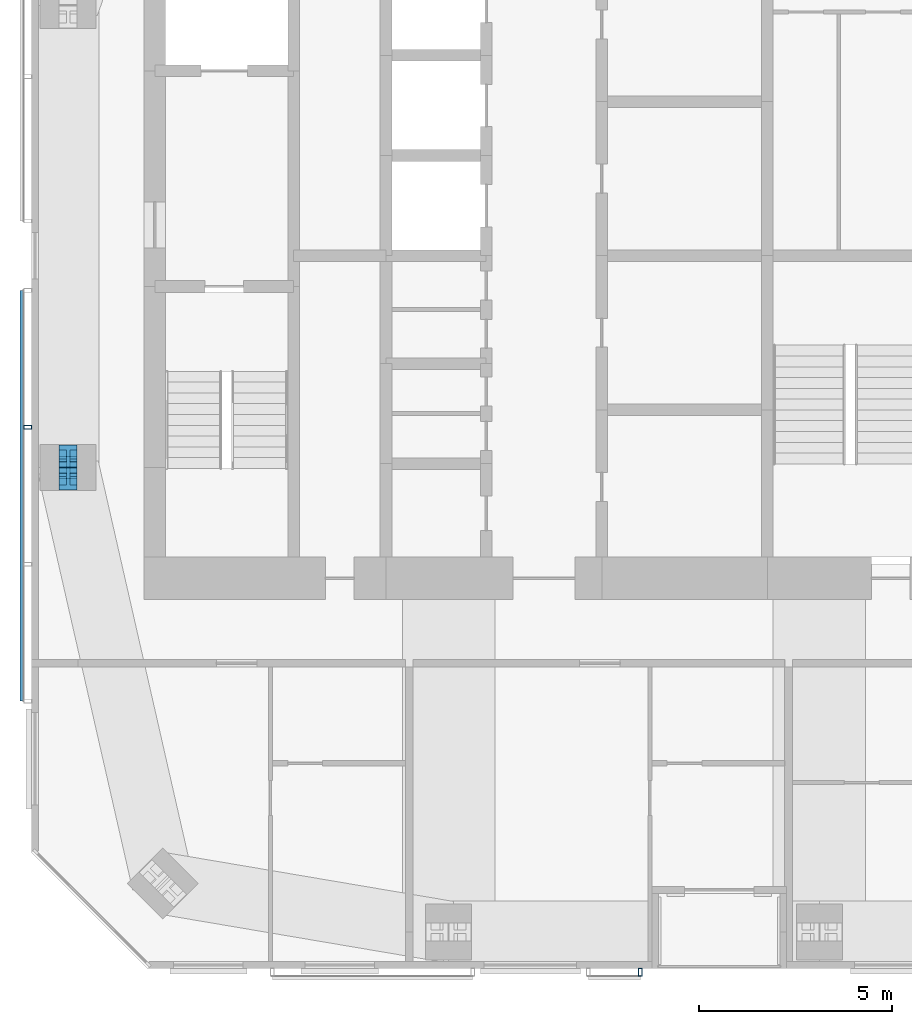
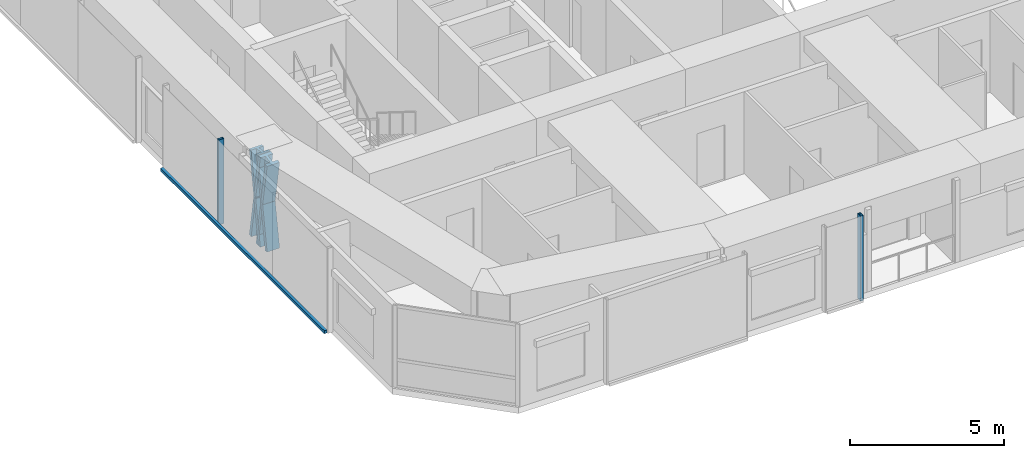
# One storey, part 4 of 20: 7 members, 2 elements without a shape of their own.
"""IFC4 building model written with IfcOpenShell, lengths in metres."""

from ifc_helpers import new_model, si_unit, direction, frame, origin, origin_2d, place, context, subcontext, project, spatial, rectangle, hollow_rectangle, i_section, extrude, material, material_profile, profile_set, type_object, element, aggregate, save


model = new_model("IFC4")

# Units and contexts
model_context = context("Model", 3, precision=1e-05, world=origin(), true_north=direction((0.0, 1.0)))
body_context = subcontext(model_context, "Body", "Model", "MODEL_VIEW")
ifc_project = project(units=[si_unit("LENGTHUNIT", "METRE"), si_unit("AREAUNIT", "SQUARE_METRE"), si_unit("VOLUMEUNIT", "CUBIC_METRE"), si_unit("PLANEANGLEUNIT", "RADIAN"), si_unit("MASSUNIT", "GRAM", prefix="KILO")], contexts=[model_context])

# Site, building, storey
site_placement = place(None, origin())
site = spatial("IfcSite", under=ifc_project, at=site_placement, CompositionType="ELEMENT")
building_placement = place(site_placement, origin())
building = spatial("IfcBuilding", under=site, at=building_placement, Name="Jalousie Tower", CompositionType="ELEMENT")
storey_placement = place(building_placement, frame((0.0, 0.0, 238.949951171875)))
storey = spatial("IfcBuildingStorey", under=building, at=storey_placement, Name="L65", CompositionType="ELEMENT", Elevation=238.949951171875)

# Members
ifc_material_1 = material(Name="Steel ASTM A992 Grade 50", Category="steel")
ifc_material_profile_1 = material_profile(ifc_material_1, i_section(OverallWidth=0.472412109375, OverallDepth=0.5791015625, WebThickness=0.094970703125, FlangeThickness=0.1298828125, at=origin_2d()), Name="W14X808")
ifc_profile_set_1 = profile_set([ifc_material_profile_1], Name="Steel ASTM A992 Grade 50")
member_type_1 = type_object("IfcMemberType", Name="PERIMETER BRACE W14X808", PredefinedType="BRACE", material=ifc_profile_set_1)
for number, where, z_axis, x_axis, name in (
    (1, (17.75, 12.699951171875, -0.599853515625), (0.0, 0.168990530437, 0.98561767467), (-1.0, 0.0, 0.0), "Perimeter brace 14 L65 part 1"),
    (2, (17.75, 13.0, 1.150146484375), (0.0, 0.168990530437, 0.98561767467), (-1.0, 0.0, 0.0), "Perimeter brace 14 L65 part 2"),
    (3, (17.75, 13.300048828125, -0.599853515625), (0.0, -0.168990530437, 0.98561767467), (1.0, 0.0, 0.0), "Perimeter brace 14 L65 part 3"),
    (4, (17.75, 13.0, 1.150146484375), (0.0, -0.168990530437, 0.98561767467), (1.0, 0.0, 0.0), "Perimeter brace 14 L65 part 4"),
):
    element("IfcMember", number, at=place(storey_placement, frame(where, z_axis=z_axis, x_axis=x_axis)), inside=storey, type_object=member_type_1, Name=name, PredefinedType="BRACE", context=body_context, shape_type="SweptSolid", body=[
        extrude(i_section(OverallWidth=0.472412109375, OverallDepth=0.5791015625, WebThickness=0.094970703125, FlangeThickness=0.1298828125, at=origin_2d()), origin(), (0.0, 0.0, 1.0), 1.775634765625),
    ])

# Curtain wall, member
ifc_material_2 = material(Name="Perforated aluminium sheet", Category="aluminium")
curtain_wall_type = type_object("IfcCurtainWallType", Name="SOLAR SCREEN SS-2", PredefinedType="USERDEFINED", material=ifc_material_2)
curtain_wall_1_placement = place(storey_placement, origin())
curtain_wall_1 = element("IfcCurtainWall", 5, at=curtain_wall_1_placement, inside=storey, type_object=curtain_wall_type, Name="Solar screen L65", ObjectType="SOLAR SCREEN SS-2", PredefinedType="USERDEFINED")
ifc_material_3 = material(Name="Steel ASTM A500 Grade C", Category="steel")
ifc_material_profile_2 = material_profile(ifc_material_3, hollow_rectangle(XDim=0.1015625, YDim=0.203125, WallThickness=0.0078125, at=origin_2d()), Name="HSS8X4X5/16")
ifc_profile_set_2 = profile_set([ifc_material_profile_2], Name="Steel ASTM A500 Grade C")
member_type_2 = type_object("IfcMemberType", Name="SOLAR SCREEN SS-2 MULLION", PredefinedType="MULLION", material=ifc_profile_set_2)
member_1_placement = place(storey_placement, frame((32.60009765625, -0.0966796875, -0.119873046875), z_axis=(0.0, 0.0, 1.0), x_axis=(1.0, 0.0, 0.0)))
member_1 = element("IfcMember", 6, at=member_1_placement, type_object=member_type_2, Name="SS2 post 2", PredefinedType="MULLION", context=body_context, shape_type="SweptSolid", body=[
    extrude(hollow_rectangle(XDim=0.1015625, YDim=0.203125, WallThickness=0.0078125, at=origin_2d()), origin(), (0.0, 0.0, 1.0), 3.3798828125),
])
aggregate(curtain_wall_1, [member_1])

# Curtain wall, members
curtain_wall_2_placement = place(storey_placement, origin())
curtain_wall_2 = element("IfcCurtainWall", 7, at=curtain_wall_2_placement, inside=storey, type_object=curtain_wall_type, Name="Solar screen L65", ObjectType="SOLAR SCREEN SS-2", PredefinedType="USERDEFINED")
member_2_placement = place(storey_placement, frame((16.703369140625, 14.0458984375, -0.119873046875), z_axis=(0.0, 0.0, 1.0), x_axis=(0.0, -1.0, 0.0)))
member_2 = element("IfcMember", 8, at=member_2_placement, type_object=member_type_2, Name="SS2 post 2", PredefinedType="MULLION", context=body_context, shape_type="SweptSolid", body=[
    extrude(hollow_rectangle(XDim=0.1015625, YDim=0.203125, WallThickness=0.0078125, at=origin_2d()), origin(), (0.0, 0.0, 1.0), 3.3798828125),
])
ifc_material_4 = material(Name="Extruded aluminium screen rail", Category="aluminium")
ifc_material_profile_3 = material_profile(ifc_material_4, rectangle(XDim=0.1015625, YDim=0.1201171875, at=origin_2d()), Name="RAIL 102x120")
ifc_profile_set_3 = profile_set([ifc_material_profile_3], Name="Extruded aluminium screen rail")
member_type_3 = type_object("IfcMemberType", Name="SOLAR SCREEN SS-2 TRANSOM", PredefinedType="USERDEFINED", material=ifc_profile_set_3)
member_3_placement = place(storey_placement, frame((16.551025390625, 17.60009765625, -0.06005859375), z_axis=(0.0, -1.0, 0.0), x_axis=(1.0, 0.0, 0.0)))
member_3 = element("IfcMember", 9, at=member_3_placement, type_object=member_type_3, Name="SS2 rail", ObjectType="TRANSOM", PredefinedType="USERDEFINED", context=body_context, shape_type="SweptSolid", body=[
    extrude(rectangle(XDim=0.1015625, YDim=0.1201171875, at=origin_2d()), origin(), (0.0, 0.0, 1.0), 10.662109375),
])
aggregate(curtain_wall_2, [member_2, member_3])

save(model, "model.ifc")
